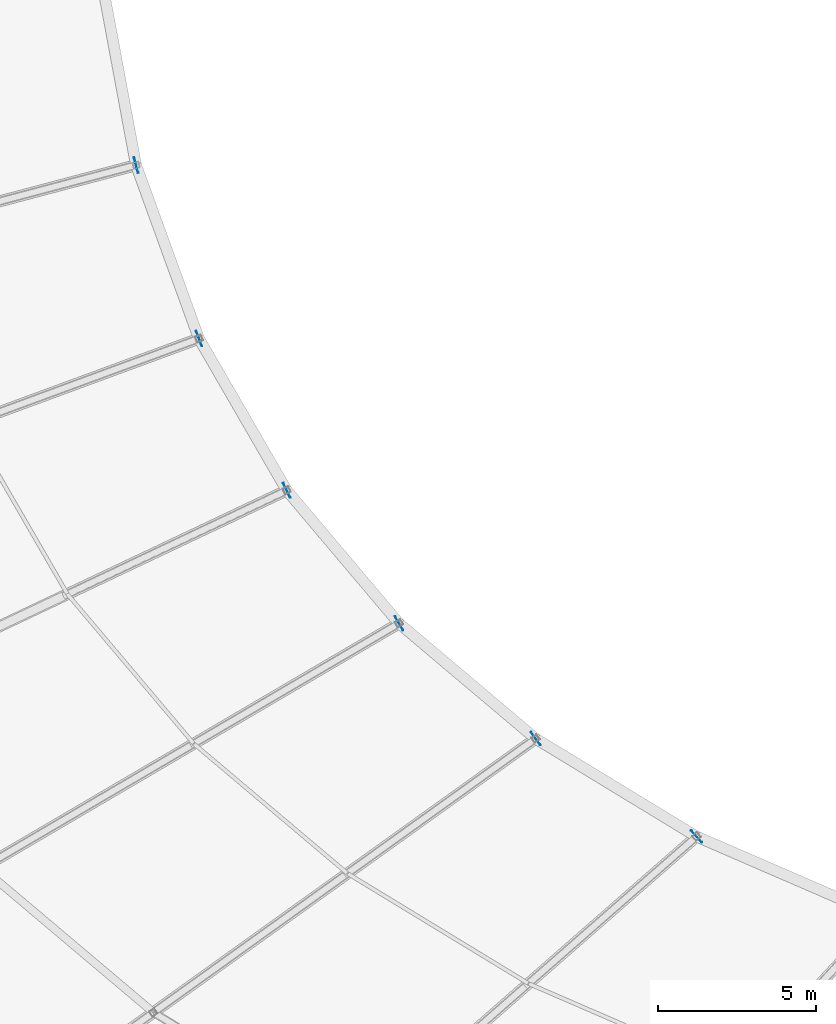
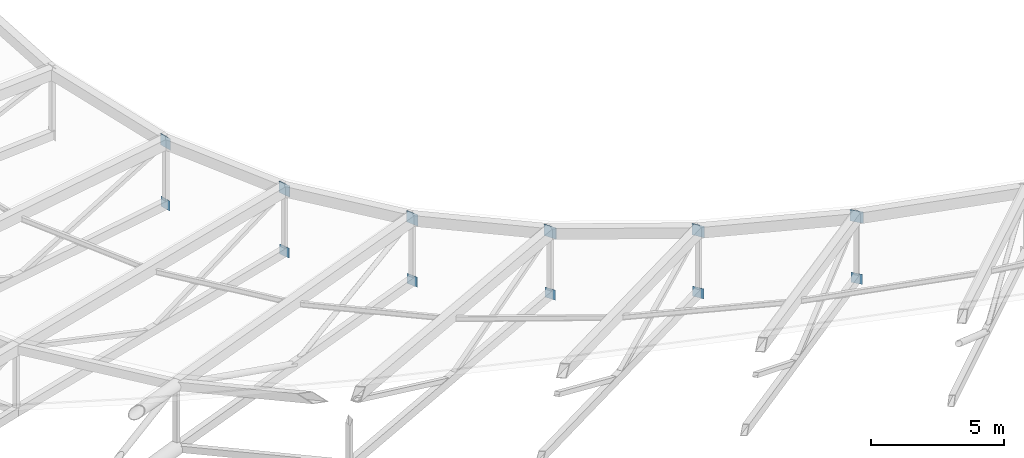
# One storey, part 110 of 143: 12 plates.
"""IFC4 building model written with IfcOpenShell, lengths in metres."""

from ifc_helpers import new_model, si_unit, direction, frame, origin, origin_2d, place, context, subcontext, project, spatial, rectangle, extrude, material, layer, layer_set, type_object, element, save


model = new_model("IFC4")

# Units and contexts
model_context = context("Model", 3, precision=1e-05, world=origin(), true_north=direction((0.0, 1.0)))
body_context = subcontext(model_context, "Body", "Model", "MODEL_VIEW")
ifc_project = project(units=[si_unit("LENGTHUNIT", "METRE"), si_unit("AREAUNIT", "SQUARE_METRE"), si_unit("VOLUMEUNIT", "CUBIC_METRE"), si_unit("PLANEANGLEUNIT", "RADIAN"), si_unit("MASSUNIT", "GRAM", prefix="KILO")], contexts=[model_context])

# Site, building, storey
site_placement = place(None, origin())
site = spatial("IfcSite", under=ifc_project, at=site_placement, CompositionType="ELEMENT")
building_placement = place(site_placement, origin())
building = spatial("IfcBuilding", under=site, at=building_placement, Name="Mphavela Belvedere Stadium", CompositionType="ELEMENT")
storey_placement = place(building_placement, frame((0.0, 0.0, 28.800048828125)))
storey = spatial("IfcBuildingStorey", under=building, at=storey_placement, Name="RF", CompositionType="ELEMENT", Elevation=28.800048828125)

# Plates
ifc_material_1 = material(Name="Steel S355", Category="steel")
ifc_layer_1 = layer(ifc_material_1, 0.01806640625)
ifc_layer_set_1 = layer_set([ifc_layer_1], Name="Steel S355")
plate_type_1 = type_object("IfcPlateType", Name="PLT-CAP-TRUSS-BC", PredefinedType="USERDEFINED", material=ifc_layer_set_1)
for number, where, z_axis, x_axis, name in (
    (1, (54.523193359375, 70.96240234375, -1.192626953125), (0.0, 0.0, 1.0), (-0.966600102017, -0.256289373133, 0.0), "Roof truss RT-27 hollow-end cap plate in_bc"),
    (2, (56.52099609375, 65.4560546875, -0.732177734375), (0.0, 0.0, 1.0), (-0.938372433776, -0.34562577382, 0.0), "Roof truss RT-28 hollow-end cap plate in_bc"),
    (3, (59.306396484375, 60.638427734375, -0.1318359375), (0.0, 0.0, 1.0), (-0.903858661687, -0.4278311813, 0.0), "Roof truss RT-29 hollow-end cap plate in_bc"),
    (4, (62.87109375, 56.416748046875, 0.56689453125), (0.0, 0.0, 1.0), (-0.862513669207, -0.506033764121, 0.0), "Roof truss RT-30 hollow-end cap plate in_bc"),
    (5, (67.2080078125, 52.75732421875, 1.317138671875), (0.0, 0.0, 1.0), (-0.812897512265, -0.582406760395, 0.0), "Roof truss RT-31 hollow-end cap plate in_bc"),
    (6, (72.3154296875, 49.64990234375, 2.067138671875), (0.0, 0.0, 1.0), (-0.752529860433, -0.658558128912, 0.0), "Roof truss RT-32 hollow-end cap plate in_bc"),
):
    element("IfcPlate", number, at=place(storey_placement, frame(where, z_axis=z_axis, x_axis=x_axis)), inside=storey, type_object=plate_type_1, Name=name, ObjectType="GUSSET_PLATE", PredefinedType="USERDEFINED", context=body_context, shape_type="SweptSolid", body=[
        extrude(rectangle(XDim=0.01806640625, YDim=0.4599609375, at=origin_2d()), origin(), (0.0, 0.0, 1.0), 0.4599609375),
    ])
ifc_material_2 = material(Name="Steel S355", Category="steel")
ifc_layer_2 = layer(ifc_material_2, 0.02001953125)
ifc_layer_set_2 = layer_set([ifc_layer_2], Name="Steel S355")
plate_type_2 = type_object("IfcPlateType", Name="PLT-CAP-TRUSS-TC", PredefinedType="USERDEFINED", material=ifc_layer_set_2)
for number, where, z_axis, x_axis, name in (
    (7, (54.523193359375, 70.96240234375, 1.627197265625), (0.0, 0.0, 1.0), (-0.966600102017, -0.256289373133, 0.0), "Roof truss RT-27 hollow-end cap plate in_tc"),
    (8, (56.52099609375, 65.4560546875, 2.087646484375), (0.0, 0.0, 1.0), (-0.938372433776, -0.34562577382, 0.0), "Roof truss RT-28 hollow-end cap plate in_tc"),
    (9, (59.306396484375, 60.638427734375, 2.68798828125), (0.0, 0.0, 1.0), (-0.903858661687, -0.4278311813, 0.0), "Roof truss RT-29 hollow-end cap plate in_tc"),
    (10, (62.87109375, 56.416748046875, 3.386962890625), (0.0, 0.0, 1.0), (-0.862513669207, -0.506033764121, 0.0), "Roof truss RT-30 hollow-end cap plate in_tc"),
    (11, (67.2080078125, 52.75732421875, 4.136962890625), (0.0, 0.0, 1.0), (-0.812897512265, -0.582406760395, 0.0), "Roof truss RT-31 hollow-end cap plate in_tc"),
    (12, (72.3154296875, 49.64990234375, 4.88720703125), (0.0, 0.0, 1.0), (-0.752529860433, -0.658558128912, 0.0), "Roof truss RT-32 hollow-end cap plate in_tc"),
):
    element("IfcPlate", number, at=place(storey_placement, frame(where, z_axis=z_axis, x_axis=x_axis)), inside=storey, type_object=plate_type_2, Name=name, ObjectType="GUSSET_PLATE", PredefinedType="USERDEFINED", context=body_context, shape_type="SweptSolid", body=[
        extrude(rectangle(XDim=0.02001953125, YDim=0.52001953125, at=origin_2d()), origin(), (0.0, 0.0, 1.0), 0.52001953125),
    ])

save(model, "model.ifc")
